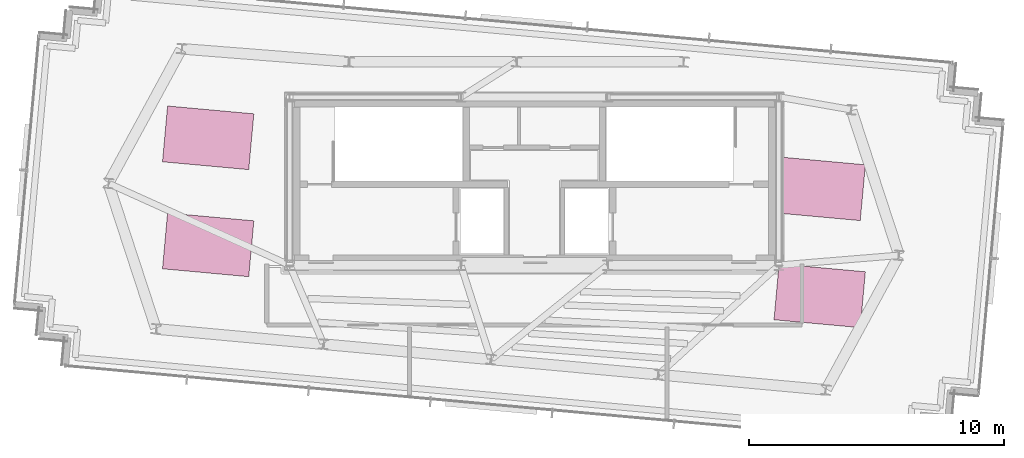
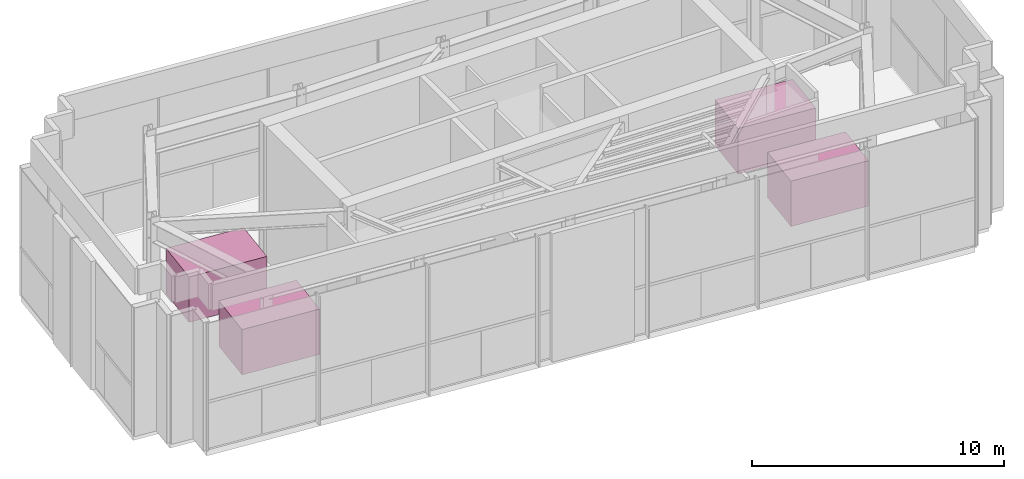
# One storey, part 18 of 18: 4 furnishings.
"""IFC4 building model written with IfcOpenShell, lengths in metres."""

from ifc_helpers import new_model, si_unit, direction, frame, origin, origin_2d, place, context, subcontext, project, spatial, rectangle, extrude, source, transform, mapped, material, type_object, type_shapes, element, save


model = new_model("IFC4")

# Units and contexts
model_context = context("Model", 3, precision=1e-05, world=origin(), true_north=direction((0.0, 1.0)))
body_context = subcontext(model_context, "Body", "Model", "MODEL_VIEW")
ifc_project = project(units=[si_unit("LENGTHUNIT", "METRE"), si_unit("AREAUNIT", "SQUARE_METRE"), si_unit("VOLUMEUNIT", "CUBIC_METRE"), si_unit("PLANEANGLEUNIT", "RADIAN"), si_unit("MASSUNIT", "GRAM", prefix="KILO")], contexts=[model_context])

# Site, building, storey
site_placement = place(None, origin())
site = spatial("IfcSite", under=ifc_project, at=site_placement, CompositionType="ELEMENT")
building_placement = place(site_placement, origin())
building = spatial("IfcBuilding", under=site, at=building_placement, Name="Astriad Promenade Condominiums", CompositionType="ELEMENT")
storey_placement = place(building_placement, frame((0.0, 0.0, 290.300048828125)))
storey = spatial("IfcBuildingStorey", under=building, at=storey_placement, Name="L80", CompositionType="ELEMENT", Elevation=290.300048828125)

# Furnishings
ifc_material = material(Name="Galvanised Steel Acoustic Cooling Tower Plant Unit", Category="steel")
furnishing_element_type = type_object("IfcFurnishingElementType", Name="PLANT-CROWN-UNIT-3800", material=ifc_material)
shared_shape = source(origin(), body_context, "Body", "SweptSolid", [
    extrude(rectangle(XDim=3.39990234375, YDim=2.199951171875, at=origin_2d()), origin(), (0.0, 0.0, 1.0), 2.199951171875),
])
type_shapes(furnishing_element_type, [shared_shape])
for number, where, z_axis, x_axis, name in (
    (1, (23.199951171875, 18.199951171875, 0.0), (0.0, 0.0, 1.0), (0.995884398616, -0.090632580198, 0.0), "Crown AHU Mechanical Plant Unit L80-01"),
    (2, (23.199951171875, 22.39990234375, 0.0), (0.0, 0.0, 1.0), (0.995884398616, -0.090632580198, 0.0), "Crown AHU Mechanical Plant Unit L80-02"),
    (3, (47.199951171875, 16.199951171875, 0.0), (0.0, 0.0, 1.0), (0.995884398616, -0.090632580198, 0.0), "Crown AHU Mechanical Plant Unit L80-03"),
    (4, (47.199951171875, 20.39990234375, 0.0), (0.0, 0.0, 1.0), (0.995884398616, -0.090632580198, 0.0), "Crown AHU Mechanical Plant Unit L80-04"),
):
    element("IfcFurnishingElement", number, at=place(storey_placement, frame(where, z_axis=z_axis, x_axis=x_axis)), inside=storey, type_object=furnishing_element_type, Name=name, ObjectType="PLANT-CROWN-UNIT-3800", context=body_context, shape_type="MappedRepresentation", body=[
        mapped(shared_shape, transform((0.0, 0.0, 0.0), scale=1.0)),
    ])

save(model, "model.ifc")
